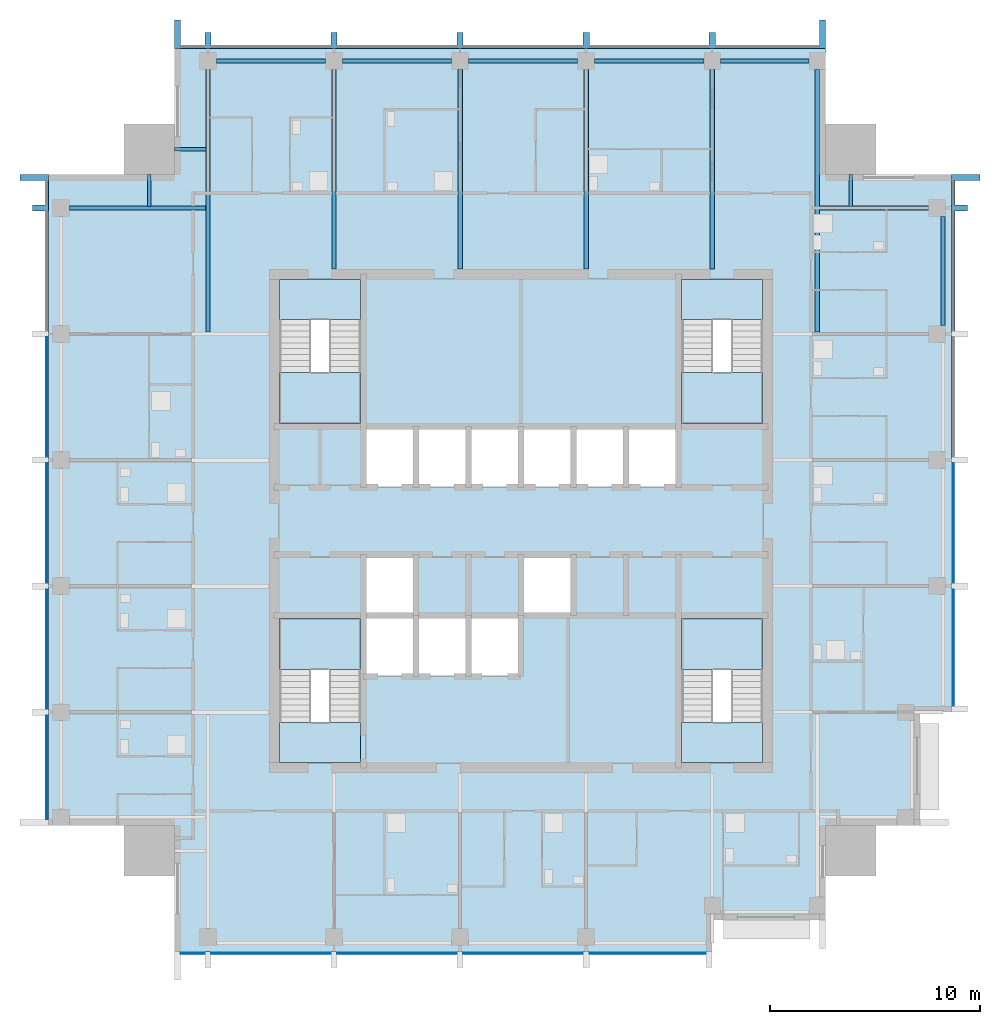
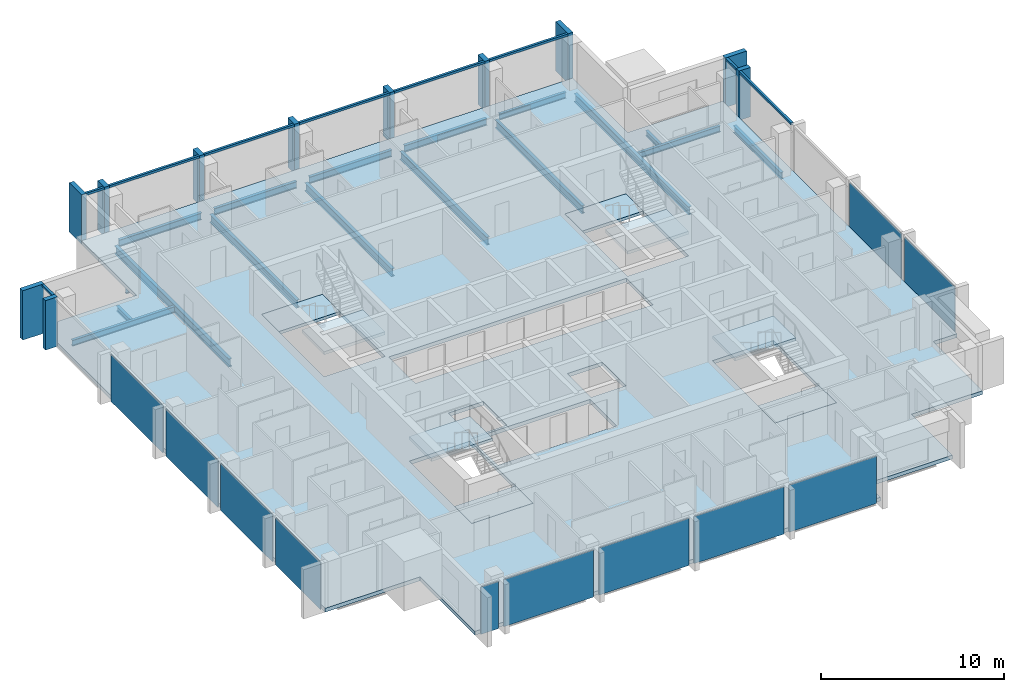
# One storey, part 2 of 9: 20 members, 17 beams, 11 plates, 9 slabs, 8 elements without a shape of their own.
"""IFC4 building model written with IfcOpenShell, lengths in metres."""

from ifc_helpers import new_model, si_unit, direction, frame, origin, origin_2d, place, context, subcontext, project, spatial, polyline, rectangle, i_section, outline, extrude, material, layer, layer_set, material_profile, profile_set, type_object, element, aggregate, save


model = new_model("IFC4")

# Units and contexts
model_context = context("Model", 3, precision=1e-05, world=origin(), true_north=direction((0.0, 1.0)))
body_context = subcontext(model_context, "Body", "Model", "MODEL_VIEW")
ifc_project = project(units=[si_unit("LENGTHUNIT", "METRE"), si_unit("AREAUNIT", "SQUARE_METRE"), si_unit("VOLUMEUNIT", "CUBIC_METRE"), si_unit("PLANEANGLEUNIT", "RADIAN"), si_unit("MASSUNIT", "GRAM", prefix="KILO")], contexts=[model_context])

# Site, building, storey
site_placement = place(None, origin())
site = spatial("IfcSite", under=ifc_project, at=site_placement, CompositionType="ELEMENT")
building_placement = place(site_placement, origin())
building = spatial("IfcBuilding", under=site, at=building_placement, Name="Amberfall Residences", CompositionType="ELEMENT")
storey_placement = place(building_placement, frame((0.0, 0.0, 245.5)))
storey = spatial("IfcBuildingStorey", under=building, at=storey_placement, Name="L65", CompositionType="ELEMENT", Elevation=245.5)

# Curtain wall, members
ifc_material_1 = material(Name="Bronze anodised aluminium and glass", Category="aluminium")
curtain_wall_type = type_object("IfcCurtainWallType", Name="Curtain wall CW1 tower unit", PredefinedType="USERDEFINED", material=ifc_material_1)
curtain_wall_1_placement = place(storey_placement, origin())
curtain_wall_1 = element("IfcCurtainWall", 1, at=curtain_wall_1_placement, inside=storey, type_object=curtain_wall_type, Name="Curtain wall L65 E E3", ObjectType="UNITISED CURTAIN WALL", PredefinedType="USERDEFINED")
ifc_material_2 = material(Name="Bronze anodised aluminium", Category="aluminium")
ifc_material_profile_1 = material_profile(ifc_material_2, rectangle(XDim=0.14990234375, YDim=0.14990234375, at=origin_2d()), Name="CW1 transom 150 x 150 bronze")
ifc_profile_set_1 = profile_set([ifc_material_profile_1], Name="Bronze anodised aluminium")
member_type_1 = type_object("IfcMemberType", Name="CW1 transom 150 x 150 bronze", PredefinedType="USERDEFINED", material=ifc_profile_set_1)
member_1_placement = place(storey_placement, frame((95.074951171875, 54.550048828125, 2.97509765625), z_axis=(0.0, 1.0, 0.0), x_axis=(-1.0, 0.0, 0.0)))
member_1 = element("IfcMember", 2, at=member_1_placement, type_object=member_type_1, Name="CW1 transom 4.1", ObjectType="TRANSOM", PredefinedType="USERDEFINED", context=body_context, shape_type="SweptSolid", body=[
    extrude(rectangle(XDim=0.14990234375, YDim=0.14990234375, at=origin_2d()), origin(), (0.0, 0.0, 1.0), 5.699951171875),
])
member_2_placement = place(storey_placement, frame((95.074951171875, 60.550048828125, 2.97509765625), z_axis=(0.0, 1.0, 0.0), x_axis=(-1.0, 0.0, 0.0)))
member_2 = element("IfcMember", 3, at=member_2_placement, type_object=member_type_1, Name="CW1 transom 5.1", ObjectType="TRANSOM", PredefinedType="USERDEFINED", context=body_context, shape_type="SweptSolid", body=[
    extrude(rectangle(XDim=0.14990234375, YDim=0.14990234375, at=origin_2d()), origin(), (0.0, 0.0, 1.0), 1.14990234375),
])

curtain_wall_2_placement = place(storey_placement, origin())
curtain_wall_2 = element("IfcCurtainWall", 4, at=curtain_wall_2_placement, inside=storey, type_object=curtain_wall_type, Name="Curtain wall L65 N N1", ObjectType="UNITISED CURTAIN WALL", PredefinedType="USERDEFINED")
member_3_placement = place(storey_placement, frame((88.699951171875, 68.074951171875, 2.97509765625), z_axis=(-1.0, 0.0, 0.0), x_axis=(0.0, -1.0, 0.0)))
member_3 = element("IfcMember", 5, at=member_3_placement, type_object=member_type_1, Name="CW1 transom 1.1", ObjectType="TRANSOM", PredefinedType="USERDEFINED", context=body_context, shape_type="SweptSolid", body=[
    extrude(rectangle(XDim=0.14990234375, YDim=0.14990234375, at=origin_2d()), origin(), (0.0, 0.0, 1.0), 4.949951171875),
])
member_4_placement = place(storey_placement, frame((83.449951171875, 68.074951171875, 2.97509765625), z_axis=(-1.0, 0.0, 0.0), x_axis=(0.0, -1.0, 0.0)))
member_4 = element("IfcMember", 6, at=member_4_placement, type_object=member_type_1, Name="CW1 transom 2.1", ObjectType="TRANSOM", PredefinedType="USERDEFINED", context=body_context, shape_type="SweptSolid", body=[
    extrude(rectangle(XDim=0.14990234375, YDim=0.14990234375, at=origin_2d()), origin(), (0.0, 0.0, 1.0), 5.699951171875),
])
member_5_placement = place(storey_placement, frame((77.449951171875, 68.074951171875, 2.97509765625), z_axis=(-1.0, 0.0, 0.0), x_axis=(0.0, -1.0, 0.0)))
member_5 = element("IfcMember", 7, at=member_5_placement, type_object=member_type_1, Name="CW1 transom 3.1", ObjectType="TRANSOM", PredefinedType="USERDEFINED", context=body_context, shape_type="SweptSolid", body=[
    extrude(rectangle(XDim=0.14990234375, YDim=0.14990234375, at=origin_2d()), origin(), (0.0, 0.0, 1.0), 5.699951171875),
])
member_6_placement = place(storey_placement, frame((71.449951171875, 68.074951171875, 2.97509765625), z_axis=(-1.0, 0.0, 0.0), x_axis=(0.0, -1.0, 0.0)))
member_6 = element("IfcMember", 8, at=member_6_placement, type_object=member_type_1, Name="CW1 transom 4.1", ObjectType="TRANSOM", PredefinedType="USERDEFINED", context=body_context, shape_type="SweptSolid", body=[
    extrude(rectangle(XDim=0.14990234375, YDim=0.14990234375, at=origin_2d()), origin(), (0.0, 0.0, 1.0), 5.699951171875),
])
member_7_placement = place(storey_placement, frame((65.449951171875, 68.074951171875, 2.97509765625), z_axis=(-1.0, 0.0, 0.0), x_axis=(0.0, -1.0, 0.0)))
member_7 = element("IfcMember", 9, at=member_7_placement, type_object=member_type_1, Name="CW1 transom 5.1", ObjectType="TRANSOM", PredefinedType="USERDEFINED", context=body_context, shape_type="SweptSolid", body=[
    extrude(rectangle(XDim=0.14990234375, YDim=0.14990234375, at=origin_2d()), origin(), (0.0, 0.0, 1.0), 5.699951171875),
])
member_8_placement = place(storey_placement, frame((59.449951171875, 68.074951171875, 2.97509765625), z_axis=(-1.0, 0.0, 0.0), x_axis=(0.0, -1.0, 0.0)))
member_8 = element("IfcMember", 10, at=member_8_placement, type_object=member_type_1, Name="CW1 transom 6.1", ObjectType="TRANSOM", PredefinedType="USERDEFINED", context=body_context, shape_type="SweptSolid", body=[
    extrude(rectangle(XDim=0.14990234375, YDim=0.14990234375, at=origin_2d()), origin(), (0.0, 0.0, 1.0), 1.14990234375),
])

# Curtain wall, member
curtain_wall_3_placement = place(storey_placement, origin())
curtain_wall_3 = element("IfcCurtainWall", 11, at=curtain_wall_3_placement, inside=storey, type_object=curtain_wall_type, Name="Curtain wall L65 W W1", ObjectType="UNITISED CURTAIN WALL", PredefinedType="USERDEFINED")
member_9_placement = place(storey_placement, frame((51.925048828125, 61.699951171875, 2.97509765625), z_axis=(0.0, -1.0, 0.0), x_axis=(1.0, 0.0, 0.0)))
member_9 = element("IfcMember", 12, at=member_9_placement, type_object=member_type_1, Name="CW1 transom 1.1", ObjectType="TRANSOM", PredefinedType="USERDEFINED", context=body_context, shape_type="SweptSolid", body=[
    extrude(rectangle(XDim=0.14990234375, YDim=0.14990234375, at=origin_2d()), origin(), (0.0, 0.0, 1.0), 1.14990234375),
])

# Member
ifc_material_profile_2 = material_profile(ifc_material_2, rectangle(XDim=1.35009765625, YDim=0.300048828125, at=origin_2d()), Name="Corner fin 300 x 1350 bronze")
ifc_profile_set_2 = profile_set([ifc_material_profile_2], Name="Bronze anodised aluminium")
member_type_2 = type_object("IfcMemberType", Name="Corner fin 300 x 1350 bronze", PredefinedType="MULLION", material=ifc_profile_set_2)
member_10_placement = place(storey_placement, frame((95.675048828125, 61.85009765625, -0.25), z_axis=(0.0, 0.0, 1.0), x_axis=(-1.0, 0.0, 0.0)))
member_10 = element("IfcMember", 13, at=member_10_placement, type_object=member_type_2, Name="CW FIN 6", PredefinedType="MULLION", context=body_context, shape_type="SweptSolid", body=[
    extrude(rectangle(XDim=1.35009765625, YDim=0.300048828125, at=origin_2d()), origin(), (0.0, 0.0, 1.0), 3.300048828125),
])

member_11_placement = place(storey_placement, frame((88.85009765625, 68.675048828125, -0.25), z_axis=(0.0, 0.0, 1.0), x_axis=(0.0, -1.0, 0.0)))
member_11 = element("IfcMember", 14, at=member_11_placement, type_object=member_type_2, Name="CW FIN 1", PredefinedType="MULLION", context=body_context, shape_type="SweptSolid", body=[
    extrude(rectangle(XDim=1.35009765625, YDim=0.300048828125, at=origin_2d()), origin(), (0.0, 0.0, 1.0), 3.300048828125),
])

member_12_placement = place(storey_placement, frame((58.14990234375, 68.675048828125, -0.25), z_axis=(0.0, 0.0, 1.0), x_axis=(0.0, -1.0, 0.0)))
member_12 = element("IfcMember", 15, at=member_12_placement, type_object=member_type_2, Name="CW FIN 7", PredefinedType="MULLION", context=body_context, shape_type="SweptSolid", body=[
    extrude(rectangle(XDim=1.35009765625, YDim=0.300048828125, at=origin_2d()), origin(), (0.0, 0.0, 1.0), 3.300048828125),
])

member_13_placement = place(storey_placement, frame((51.324951171875, 61.85009765625, -0.25), z_axis=(0.0, 0.0, 1.0), x_axis=(1.0, 0.0, 0.0)))
member_13 = element("IfcMember", 16, at=member_13_placement, type_object=member_type_2, Name="CW FIN 1", PredefinedType="MULLION", context=body_context, shape_type="SweptSolid", body=[
    extrude(rectangle(XDim=1.35009765625, YDim=0.300048828125, at=origin_2d()), origin(), (0.0, 0.0, 1.0), 3.300048828125),
])

# Beams
ifc_material_3 = material(Name="Steel S355", Category="steel")
ifc_material_profile_3 = material_profile(ifc_material_3, i_section(OverallWidth=0.177734375, OverallDepth=0.402587890625, WebThickness=0.0078125, FlangeThickness=0.010986328125, FilletRadius=0.01025390625, at=origin_2d()), Name="UB 406x178x54")
ifc_profile_set_3 = profile_set([ifc_material_profile_3], Name="Steel S355")
beam_type_1 = type_object("IfcBeamType", Name="Edge beam UB 406x178x54", PredefinedType="SPANDREL", material=ifc_profile_set_3)
beam_1_placement = place(storey_placement, frame((84.0, 67.39990234375, -0.451416015625), z_axis=(1.0, 0.0, 0.0), x_axis=(0.0, 1.0, 0.0)))
element("IfcBeam", 17, at=beam_1_placement, inside=storey, type_object=beam_type_1, Name="Edge beam B14 L65 29", PredefinedType="SPANDREL", context=body_context, shape_type="SweptSolid", body=[
    extrude(i_section(OverallWidth=0.177734375, OverallDepth=0.402587890625, WebThickness=0.0078125, FlangeThickness=0.010986328125, FilletRadius=0.01025390625, at=origin_2d()), origin(), (0.0, 0.0, 1.0), 4.199951171875),
])
ifc_material_profile_4 = material_profile(ifc_material_3, i_section(OverallWidth=0.18994140625, OverallDepth=0.453369140625, WebThickness=0.008544921875, FlangeThickness=0.0126953125, FilletRadius=0.01025390625, at=origin_2d()), Name="UB 457x191x67")
ifc_profile_set_4 = profile_set([ifc_material_profile_4], Name="Steel S355")
beam_type_2 = type_object("IfcBeamType", Name="Edge beam UB 457x191x67", PredefinedType="SPANDREL", material=ifc_profile_set_4)
for number, where, z_axis, x_axis, name in (
    (18, (94.60009765625, 54.800048828125, -0.476806640625), (0.0, 1.0, 0.0), (-1.0, 0.0, 0.0), "Edge beam B1 L65 17"),
    (19, (60.0, 67.39990234375, -0.476806640625), (1.0, 0.0, 0.0), (0.0, 1.0, 0.0), "Edge beam B1 L65 25"),
    (20, (66.0, 67.39990234375, -0.476806640625), (1.0, 0.0, 0.0), (0.0, 1.0, 0.0), "Edge beam B1 L65 26"),
    (21, (72.0, 67.39990234375, -0.476806640625), (1.0, 0.0, 0.0), (0.0, 1.0, 0.0), "Edge beam B1 L65 27"),
    (22, (78.0, 67.39990234375, -0.476806640625), (1.0, 0.0, 0.0), (0.0, 1.0, 0.0), "Edge beam B1 L65 28"),
):
    element("IfcBeam", number, at=place(storey_placement, frame(where, z_axis=z_axis, x_axis=x_axis)), inside=storey, type_object=beam_type_2, Name=name, PredefinedType="SPANDREL", context=body_context, shape_type="SweptSolid", body=[
        extrude(i_section(OverallWidth=0.18994140625, OverallDepth=0.453369140625, WebThickness=0.008544921875, FlangeThickness=0.0126953125, FilletRadius=0.01025390625, at=origin_2d()), origin(), (0.0, 0.0, 1.0), 5.199951171875),
    ])

# Member
ifc_material_profile_5 = material_profile(ifc_material_2, rectangle(XDim=0.75, YDim=0.300048828125, at=origin_2d()), Name="Fin 300 x 750 bronze")
ifc_profile_set_5 = profile_set([ifc_material_profile_5], Name="Bronze anodised aluminium")
member_type_3 = type_object("IfcMemberType", Name="Fin 300 x 750 bronze", PredefinedType="MULLION", material=ifc_profile_set_5)
member_14_placement = place(storey_placement, frame((95.375, 60.39990234375, -0.25), z_axis=(0.0, 0.0, 1.0), x_axis=(-1.0, 0.0, 0.0)))
member_14 = element("IfcMember", 23, at=member_14_placement, type_object=member_type_3, Name="CW FIN 5", PredefinedType="MULLION", context=body_context, shape_type="SweptSolid", body=[
    extrude(rectangle(XDim=0.75, YDim=0.300048828125, at=origin_2d()), origin(), (0.0, 0.0, 1.0), 3.300048828125),
])

member_15_placement = place(storey_placement, frame((83.60009765625, 68.375, -0.25), z_axis=(0.0, 0.0, 1.0), x_axis=(0.0, -1.0, 0.0)))
member_15 = element("IfcMember", 24, at=member_15_placement, type_object=member_type_3, Name="CW FIN 2", PredefinedType="MULLION", context=body_context, shape_type="SweptSolid", body=[
    extrude(rectangle(XDim=0.75, YDim=0.300048828125, at=origin_2d()), origin(), (0.0, 0.0, 1.0), 3.300048828125),
])

member_16_placement = place(storey_placement, frame((77.60009765625, 68.375, -0.25), z_axis=(0.0, 0.0, 1.0), x_axis=(0.0, -1.0, 0.0)))
member_16 = element("IfcMember", 25, at=member_16_placement, type_object=member_type_3, Name="CW FIN 3", PredefinedType="MULLION", context=body_context, shape_type="SweptSolid", body=[
    extrude(rectangle(XDim=0.75, YDim=0.300048828125, at=origin_2d()), origin(), (0.0, 0.0, 1.0), 3.300048828125),
])

member_17_placement = place(storey_placement, frame((71.60009765625, 68.375, -0.25), z_axis=(0.0, 0.0, 1.0), x_axis=(0.0, -1.0, 0.0)))
member_17 = element("IfcMember", 26, at=member_17_placement, type_object=member_type_3, Name="CW FIN 4", PredefinedType="MULLION", context=body_context, shape_type="SweptSolid", body=[
    extrude(rectangle(XDim=0.75, YDim=0.300048828125, at=origin_2d()), origin(), (0.0, 0.0, 1.0), 3.300048828125),
])

member_18_placement = place(storey_placement, frame((65.60009765625, 68.375, -0.25), z_axis=(0.0, 0.0, 1.0), x_axis=(0.0, -1.0, 0.0)))
member_18 = element("IfcMember", 27, at=member_18_placement, type_object=member_type_3, Name="CW FIN 5", PredefinedType="MULLION", context=body_context, shape_type="SweptSolid", body=[
    extrude(rectangle(XDim=0.75, YDim=0.300048828125, at=origin_2d()), origin(), (0.0, 0.0, 1.0), 3.300048828125),
])

member_19_placement = place(storey_placement, frame((59.60009765625, 68.375, -0.25), z_axis=(0.0, 0.0, 1.0), x_axis=(0.0, -1.0, 0.0)))
member_19 = element("IfcMember", 28, at=member_19_placement, type_object=member_type_3, Name="CW FIN 6", PredefinedType="MULLION", context=body_context, shape_type="SweptSolid", body=[
    extrude(rectangle(XDim=0.75, YDim=0.300048828125, at=origin_2d()), origin(), (0.0, 0.0, 1.0), 3.300048828125),
])

aggregate(curtain_wall_2, [member_11, member_15, member_16, member_17, member_18, member_19, member_12, member_3, member_4, member_5, member_6, member_7, member_8])

member_20_placement = place(storey_placement, frame((51.625, 60.39990234375, -0.25), z_axis=(0.0, 0.0, 1.0), x_axis=(1.0, 0.0, 0.0)))
member_20 = element("IfcMember", 29, at=member_20_placement, type_object=member_type_3, Name="CW FIN 2", PredefinedType="MULLION", context=body_context, shape_type="SweptSolid", body=[
    extrude(rectangle(XDim=0.75, YDim=0.300048828125, at=origin_2d()), origin(), (0.0, 0.0, 1.0), 3.300048828125),
])

# Beams
ifc_material_profile_6 = material_profile(ifc_material_3, i_section(OverallWidth=0.177734375, OverallDepth=0.402587890625, WebThickness=0.0078125, FlangeThickness=0.010986328125, FilletRadius=0.01025390625, at=origin_2d()), Name="UB 406x178x54")
ifc_profile_set_6 = profile_set([ifc_material_profile_6], Name="Steel S355")
beam_type_3 = type_object("IfcBeamType", Name="Floor girder UB 406x178x54", PredefinedType="BEAM", material=ifc_profile_set_6)
beam_2_placement = place(storey_placement, frame((93.89990234375, 60.39990234375, -0.451416015625), z_axis=(-1.0, 0.0, 0.0), x_axis=(0.0, -1.0, 0.0)))
element("IfcBeam", 30, at=beam_2_placement, inside=storey, type_object=beam_type_3, Name="Floor girder B4 L65 24", PredefinedType="BEAM", context=body_context, shape_type="SweptSolid", body=[
    extrude(i_section(OverallWidth=0.177734375, OverallDepth=0.402587890625, WebThickness=0.0078125, FlangeThickness=0.010986328125, FilletRadius=0.01025390625, at=origin_2d()), origin(), (0.0, 0.0, 1.0), 5.179931640625),
])
beam_3_placement = place(storey_placement, frame((53.0, 60.39990234375, -0.451416015625), z_axis=(1.0, 0.0, 0.0), x_axis=(0.0, 1.0, 0.0)))
element("IfcBeam", 31, at=beam_3_placement, inside=storey, type_object=beam_type_3, Name="Floor girder B4 L65 46", PredefinedType="BEAM", context=body_context, shape_type="SweptSolid", body=[
    extrude(i_section(OverallWidth=0.177734375, OverallDepth=0.402587890625, WebThickness=0.0078125, FlangeThickness=0.010986328125, FilletRadius=0.01025390625, at=origin_2d()), origin(), (0.0, 0.0, 1.0), 6.47998046875),
])
ifc_material_profile_7 = material_profile(ifc_material_3, i_section(OverallWidth=0.210693359375, OverallDepth=0.53955078125, WebThickness=0.01171875, FlangeThickness=0.018798828125, FilletRadius=0.0126953125, at=origin_2d()), Name="UB 533x210x109")
ifc_profile_set_7 = profile_set([ifc_material_profile_7], Name="Steel S355")
beam_type_4 = type_object("IfcBeamType", Name="Floor girder UB 533x210x109", PredefinedType="BEAM", material=ifc_profile_set_7)
beam_4_placement = place(storey_placement, frame((59.60009765625, 67.0, -0.519775390625), z_axis=(0.0, -1.0, 0.0), x_axis=(1.0, 0.0, 0.0)))
element("IfcBeam", 32, at=beam_4_placement, inside=storey, type_object=beam_type_4, Name="Floor girder B2 L65 30", PredefinedType="BEAM", context=body_context, shape_type="SweptSolid", body=[
    extrude(i_section(OverallWidth=0.210693359375, OverallDepth=0.53955078125, WebThickness=0.01171875, FlangeThickness=0.018798828125, FilletRadius=0.0126953125, at=origin_2d()), origin(), (0.0, 0.0, 1.0), 12.50048828125),
])
beam_5_placement = place(storey_placement, frame((88.60009765625, 67.0, -0.519775390625), z_axis=(0.0, -1.0, 0.0), x_axis=(1.0, 0.0, 0.0)))
element("IfcBeam", 33, at=beam_5_placement, inside=storey, type_object=beam_type_4, Name="Floor girder B2 L65 35", PredefinedType="BEAM", context=body_context, shape_type="SweptSolid", body=[
    extrude(i_section(OverallWidth=0.210693359375, OverallDepth=0.53955078125, WebThickness=0.01171875, FlangeThickness=0.018798828125, FilletRadius=0.0126953125, at=origin_2d()), origin(), (0.0, 0.0, 1.0), 12.509521484375),
])
ifc_material_profile_8 = material_profile(ifc_material_3, i_section(OverallWidth=0.209228515625, OverallDepth=0.533203125, WebThickness=0.010009765625, FlangeThickness=0.015625, FilletRadius=0.0126953125, at=origin_2d()), Name="UB 533x210x92")
ifc_profile_set_8 = profile_set([ifc_material_profile_8], Name="Steel S355")
beam_type_5 = type_object("IfcBeamType", Name="Floor girder UB 533x210x92", PredefinedType="BEAM", material=ifc_profile_set_8)
for number, where, z_axis, x_axis, name in (
    (34, (65.60009765625, 67.0, -0.5166015625), (0.0, -1.0, 0.0), (1.0, 0.0, 0.0), "Floor girder B3 L65 31"),
    (35, (71.60009765625, 67.0, -0.5166015625), (0.0, -1.0, 0.0), (1.0, 0.0, 0.0), "Floor girder B3 L65 32"),
    (36, (77.60009765625, 67.0, -0.5166015625), (0.0, -1.0, 0.0), (1.0, 0.0, 0.0), "Floor girder B3 L65 33"),
    (37, (83.60009765625, 67.0, -0.5166015625), (0.0, -1.0, 0.0), (1.0, 0.0, 0.0), "Floor girder B3 L65 34"),
):
    element("IfcBeam", number, at=place(storey_placement, frame(where, z_axis=z_axis, x_axis=x_axis)), inside=storey, type_object=beam_type_5, Name=name, PredefinedType="BEAM", context=body_context, shape_type="SweptSolid", body=[
        extrude(i_section(OverallWidth=0.209228515625, OverallDepth=0.533203125, WebThickness=0.010009765625, FlangeThickness=0.015625, FilletRadius=0.0126953125, at=origin_2d()), origin(), (0.0, 0.0, 1.0), 9.5),
    ])
ifc_material_profile_9 = material_profile(ifc_material_3, i_section(OverallWidth=0.171142578125, OverallDepth=0.351318359375, WebThickness=0.007080078125, FlangeThickness=0.009765625, FilletRadius=0.01025390625, at=origin_2d()), Name="UB 356x171x45")
ifc_profile_set_9 = profile_set([ifc_material_profile_9], Name="Steel S355")
beam_type_6 = type_object("IfcBeamType", Name="Link beam UB 356x171x45", PredefinedType="BEAM", material=ifc_profile_set_9)
beam_6_placement = place(storey_placement, frame((90.199951171875, 62.0, -0.42578125), z_axis=(0.0, -1.0, 0.0), x_axis=(1.0, 0.0, 0.0)))
element("IfcBeam", 38, at=beam_6_placement, inside=storey, type_object=beam_type_6, Name="Link beam B7 L65 48", PredefinedType="BEAM", context=body_context, shape_type="SweptSolid", body=[
    extrude(i_section(OverallWidth=0.171142578125, OverallDepth=0.351318359375, WebThickness=0.007080078125, FlangeThickness=0.009765625, FilletRadius=0.01025390625, at=origin_2d()), origin(), (0.0, 0.0, 1.0), 1.52099609375),
])
beam_7_placement = place(storey_placement, frame((58.0, 63.199951171875, -0.42578125), z_axis=(1.0, 0.0, 0.0), x_axis=(0.0, 1.0, 0.0)))
element("IfcBeam", 39, at=beam_7_placement, inside=storey, type_object=beam_type_6, Name="Link beam B7 L65 49", PredefinedType="BEAM", context=body_context, shape_type="SweptSolid", body=[
    extrude(i_section(OverallWidth=0.171142578125, OverallDepth=0.351318359375, WebThickness=0.007080078125, FlangeThickness=0.009765625, FilletRadius=0.01025390625, at=origin_2d()), origin(), (0.0, 0.0, 1.0), 1.504638671875),
])
beam_8_placement = place(storey_placement, frame((56.800048828125, 62.0, -0.42578125), z_axis=(0.0, -1.0, 0.0), x_axis=(1.0, 0.0, 0.0)))
element("IfcBeam", 40, at=beam_8_placement, inside=storey, type_object=beam_type_6, Name="Link beam B7 L65 50", PredefinedType="BEAM", context=body_context, shape_type="SweptSolid", body=[
    extrude(i_section(OverallWidth=0.171142578125, OverallDepth=0.351318359375, WebThickness=0.007080078125, FlangeThickness=0.009765625, FilletRadius=0.01025390625, at=origin_2d()), origin(), (0.0, 0.0, 1.0), 1.52099609375),
])

# Curtain wall, plates
curtain_wall_4_placement = place(storey_placement, origin())
curtain_wall_4 = element("IfcCurtainWall", 41, at=curtain_wall_4_placement, inside=storey, type_object=curtain_wall_type, Name="Curtain wall L65 S S1", ObjectType="UNITISED CURTAIN WALL", PredefinedType="USERDEFINED")
ifc_material_4 = material(Name="Tinted double glazed unit", Category="glass")
ifc_layer_1 = layer(ifc_material_4, 0.035888671875)
ifc_layer_set_1 = layer_set([ifc_layer_1], Name="CW1 panel 36 glazing")
plate_type = type_object("IfcPlateType", Name="CW1 panel 36 glazing", PredefinedType="CURTAIN_PANEL", material=ifc_layer_set_1)
plate_1_placement = place(storey_placement, frame((58.875, 24.925048828125, -0.25), z_axis=(0.0, 0.0, 1.0), x_axis=(1.0, 0.0, 0.0)))
plate_1 = element("IfcPlate", 42, at=plate_1_placement, type_object=plate_type, Name="CW1 panel 1.1", PredefinedType="CURTAIN_PANEL", context=body_context, shape_type="SweptSolid", body=[
    extrude(rectangle(XDim=1.1259765625, YDim=0.035888671875, at=origin_2d()), origin(), (0.0, 0.0, 1.0), 3.14990234375),
])
plate_2_placement = place(storey_placement, frame((62.60009765625, 24.925048828125, -0.25), z_axis=(0.0, 0.0, 1.0), x_axis=(1.0, 0.0, 0.0)))
plate_2 = element("IfcPlate", 43, at=plate_2_placement, type_object=plate_type, Name="CW1 panel 2.1", PredefinedType="CURTAIN_PANEL", context=body_context, shape_type="SweptSolid", body=[
    extrude(rectangle(XDim=5.676025390625, YDim=0.035888671875, at=origin_2d()), origin(), (0.0, 0.0, 1.0), 3.14990234375),
])
plate_3_placement = place(storey_placement, frame((68.60009765625, 24.925048828125, -0.25), z_axis=(0.0, 0.0, 1.0), x_axis=(1.0, 0.0, 0.0)))
plate_3 = element("IfcPlate", 44, at=plate_3_placement, type_object=plate_type, Name="CW1 panel 3.1", PredefinedType="CURTAIN_PANEL", context=body_context, shape_type="SweptSolid", body=[
    extrude(rectangle(XDim=5.676025390625, YDim=0.035888671875, at=origin_2d()), origin(), (0.0, 0.0, 1.0), 3.14990234375),
])
plate_4_placement = place(storey_placement, frame((74.60009765625, 24.925048828125, -0.25), z_axis=(0.0, 0.0, 1.0), x_axis=(1.0, 0.0, 0.0)))
plate_4 = element("IfcPlate", 45, at=plate_4_placement, type_object=plate_type, Name="CW1 panel 4.1", PredefinedType="CURTAIN_PANEL", context=body_context, shape_type="SweptSolid", body=[
    extrude(rectangle(XDim=5.676025390625, YDim=0.035888671875, at=origin_2d()), origin(), (0.0, 0.0, 1.0), 3.14990234375),
])
plate_5_placement = place(storey_placement, frame((80.52490234375, 24.925048828125, -0.25), z_axis=(0.0, 0.0, 1.0), x_axis=(1.0, 0.0, 0.0)))
plate_5 = element("IfcPlate", 46, at=plate_5_placement, type_object=plate_type, Name="CW1 panel 5.1", PredefinedType="CURTAIN_PANEL", context=body_context, shape_type="SweptSolid", body=[
    extrude(rectangle(XDim=5.52587890625, YDim=0.035888671875, at=origin_2d()), origin(), (0.0, 0.0, 1.0), 3.14990234375),
])
aggregate(curtain_wall_4, [plate_1, plate_2, plate_3, plate_4, plate_5])

# Plate
plate_6_placement = place(storey_placement, frame((95.074951171875, 39.47509765625, -0.25), z_axis=(0.0, 0.0, 1.0), x_axis=(0.0, 1.0, 0.0)))
plate_6 = element("IfcPlate", 47, at=plate_6_placement, type_object=plate_type, Name="CW1 panel 1.1", PredefinedType="CURTAIN_PANEL", context=body_context, shape_type="SweptSolid", body=[
    extrude(rectangle(XDim=5.52587890625, YDim=0.035888671875, at=origin_2d()), origin(), (0.0, 0.0, 1.0), 3.14990234375),
])

plate_7_placement = place(storey_placement, frame((95.074951171875, 45.39990234375, -0.25), z_axis=(0.0, 0.0, 1.0), x_axis=(0.0, 1.0, 0.0)))
plate_7 = element("IfcPlate", 48, at=plate_7_placement, type_object=plate_type, Name="CW1 panel 2.1", PredefinedType="CURTAIN_PANEL", context=body_context, shape_type="SweptSolid", body=[
    extrude(rectangle(XDim=5.676025390625, YDim=0.035888671875, at=origin_2d()), origin(), (0.0, 0.0, 1.0), 3.14990234375),
])

aggregate(curtain_wall_1, [member_14, member_10, plate_6, plate_7, member_1, member_2])

plate_8_placement = place(storey_placement, frame((51.925048828125, 51.39990234375, -0.25), z_axis=(0.0, 0.0, 1.0), x_axis=(0.0, -1.0, 0.0)))
plate_8 = element("IfcPlate", 49, at=plate_8_placement, type_object=plate_type, Name="CW1 panel 3.1", PredefinedType="CURTAIN_PANEL", context=body_context, shape_type="SweptSolid", body=[
    extrude(rectangle(XDim=5.676025390625, YDim=0.035888671875, at=origin_2d()), origin(), (0.0, 0.0, 1.0), 3.14990234375),
])

plate_9_placement = place(storey_placement, frame((51.925048828125, 45.39990234375, -0.25), z_axis=(0.0, 0.0, 1.0), x_axis=(0.0, -1.0, 0.0)))
plate_9 = element("IfcPlate", 50, at=plate_9_placement, type_object=plate_type, Name="CW1 panel 4.1", PredefinedType="CURTAIN_PANEL", context=body_context, shape_type="SweptSolid", body=[
    extrude(rectangle(XDim=5.676025390625, YDim=0.035888671875, at=origin_2d()), origin(), (0.0, 0.0, 1.0), 3.14990234375),
])

plate_10_placement = place(storey_placement, frame((51.925048828125, 39.39990234375, -0.25), z_axis=(0.0, 0.0, 1.0), x_axis=(0.0, -1.0, 0.0)))
plate_10 = element("IfcPlate", 51, at=plate_10_placement, type_object=plate_type, Name="CW1 panel 5.1", PredefinedType="CURTAIN_PANEL", context=body_context, shape_type="SweptSolid", body=[
    extrude(rectangle(XDim=5.676025390625, YDim=0.035888671875, at=origin_2d()), origin(), (0.0, 0.0, 1.0), 3.14990234375),
])

plate_11_placement = place(storey_placement, frame((51.925048828125, 33.77490234375, -0.25), z_axis=(0.0, 0.0, 1.0), x_axis=(0.0, -1.0, 0.0)))
plate_11 = element("IfcPlate", 52, at=plate_11_placement, type_object=plate_type, Name="CW1 panel 6.1", PredefinedType="CURTAIN_PANEL", context=body_context, shape_type="SweptSolid", body=[
    extrude(rectangle(XDim=4.926025390625, YDim=0.035888671875, at=origin_2d()), origin(), (0.0, 0.0, 1.0), 3.14990234375),
])

aggregate(curtain_wall_3, [member_13, member_20, member_9, plate_8, plate_9, plate_10, plate_11])

# Slab
ifc_material_5 = material(Name="Concrete C50", Category="concrete")
ifc_layer_2 = layer(ifc_material_5, 0.25)
ifc_layer_set_2 = layer_set([ifc_layer_2], Name="Floor slab 250 C50")
slab_type_1 = type_object("IfcSlabType", Name="Floor slab 250 C50", PredefinedType="FLOOR", material=ifc_layer_set_2)
slab_1_placement = place(storey_placement, frame((0.0, 0.0, -0.25)))
element("IfcSlab", 53, at=slab_1_placement, inside=storey, type_object=slab_type_1, Name="Floor slab S19 L65", PredefinedType="FLOOR", context=body_context, shape_type="SweptSolid", body=[
    extrude(outline(polyline([(83.60009765625, 26.5), (83.60009765625, 25.0), (58.0, 25.0), (58.0, 31.0), (52.0, 31.0), (52.0, 62.0), (58.0, 62.0), (58.0, 68.0), (89.0, 68.0), (89.0, 62.0), (95.0, 62.0), (95.0, 36.39990234375), (93.5, 36.39990234375), (93.5, 31.0), (89.0, 31.0), (89.0, 26.5), (83.60009765625, 26.5)]), holes=[polyline([(86.0, 34.0), (86.0, 40.85009765625), (82.14990234375, 40.85009765625), (82.14990234375, 34.0), (86.0, 34.0)]), polyline([(86.0, 50.14990234375), (86.0, 57.0), (82.14990234375, 57.0), (82.14990234375, 50.14990234375), (86.0, 50.14990234375)]), polyline([(72.0, 50.0), (69.5, 50.0), (67.0, 50.0), (67.0, 47.10009765625), (69.5, 47.10009765625), (72.0, 47.10009765625), (74.5, 47.10009765625), (77.0, 47.10009765625), (79.5, 47.10009765625), (82.0, 47.10009765625), (82.0, 50.0), (79.5, 50.0), (77.0, 50.0), (74.5, 50.0), (72.0, 50.0)]), polyline([(76.85009765625, 41.14990234375), (76.85009765625, 43.75), (74.64990234375, 43.75), (74.64990234375, 41.14990234375), (76.85009765625, 41.14990234375)]), polyline([(69.5, 41.0), (67.0, 41.0), (67.0, 38.10009765625), (69.5, 38.10009765625), (72.0, 38.10009765625), (74.5, 38.10009765625), (74.5, 41.0), (72.0, 41.0), (69.5, 41.0)]), polyline([(69.35009765625, 41.14990234375), (69.35009765625, 43.75), (67.14990234375, 43.75), (67.14990234375, 41.14990234375), (69.35009765625, 41.14990234375)]), polyline([(66.85009765625, 50.14990234375), (66.85009765625, 57.0), (63.0, 57.0), (63.0, 50.14990234375), (66.85009765625, 50.14990234375)]), polyline([(66.85009765625, 40.85009765625), (63.0, 40.85009765625), (63.0, 34.0), (66.85009765625, 34.0), (66.85009765625, 40.85009765625)])]), origin(), (0.0, 0.0, 1.0), 0.25),
])

# Stair, slabs
ifc_material_6 = material(Name="Concrete C40", Category="concrete")
stair_type = type_object("IfcStairType", Name="Exit stair 20 risers 165.0 mm", PredefinedType="HALF_TURN_STAIR", material=ifc_material_6)
stair_1_placement = place(storey_placement, origin())
stair_1 = element("IfcStair", 54, at=stair_1_placement, inside=storey, type_object=stair_type, Name="L65 Exit stair 1", PredefinedType="HALF_TURN_STAIR")
ifc_layer_3 = layer(ifc_material_6, 0.199951171875)
ifc_layer_set_3 = layer_set([ifc_layer_3], Name="Stair landing 200")
slab_type_2 = type_object("IfcSlabType", Name="Stair landing 200", PredefinedType="LANDING", material=ifc_layer_set_3)
slab_2_placement = place(storey_placement, frame((0.0, 0.0, 1.449951171875)))
slab_2 = element("IfcSlab", 55, at=slab_2_placement, type_object=slab_type_2, Name="ST3 landing 1", PredefinedType="LANDING", context=body_context, shape_type="SweptSolid", body=[
    extrude(outline(polyline([(66.85009765625, 38.419921875), (66.85009765625, 40.85009765625), (63.0, 40.85009765625), (63.0, 38.419921875), (66.85009765625, 38.419921875)])), origin(), (0.0, 0.0, 1.0), 0.199951171875),
])
slab_3_placement = place(storey_placement, frame((0.0, 0.0, -0.199951171875)))
slab_3 = element("IfcSlab", 56, at=slab_3_placement, type_object=slab_type_2, Name="ST3 landing 2", PredefinedType="LANDING", context=body_context, shape_type="SweptSolid", body=[
    extrude(outline(polyline([(66.85009765625, 34.0), (66.85009765625, 35.89990234375), (63.0, 35.89990234375), (63.0, 34.0), (66.85009765625, 34.0)])), origin(), (0.0, 0.0, 1.0), 0.199951171875),
])
aggregate(stair_1, [slab_2, slab_3])

stair_2_placement = place(storey_placement, origin())
stair_2 = element("IfcStair", 57, at=stair_2_placement, inside=storey, type_object=stair_type, Name="L65 Exit stair 2", PredefinedType="HALF_TURN_STAIR")
slab_4_placement = place(storey_placement, frame((0.0, 0.0, 1.449951171875)))
slab_4 = element("IfcSlab", 58, at=slab_4_placement, type_object=slab_type_2, Name="ST3 landing 1", PredefinedType="LANDING", context=body_context, shape_type="SweptSolid", body=[
    extrude(outline(polyline([(86.0, 38.419921875), (86.0, 40.85009765625), (82.14990234375, 40.85009765625), (82.14990234375, 38.419921875), (86.0, 38.419921875)])), origin(), (0.0, 0.0, 1.0), 0.199951171875),
])
slab_5_placement = place(storey_placement, frame((0.0, 0.0, -0.199951171875)))
slab_5 = element("IfcSlab", 59, at=slab_5_placement, type_object=slab_type_2, Name="ST3 landing 2", PredefinedType="LANDING", context=body_context, shape_type="SweptSolid", body=[
    extrude(outline(polyline([(86.0, 34.0), (86.0, 35.89990234375), (82.14990234375, 35.89990234375), (82.14990234375, 34.0), (86.0, 34.0)])), origin(), (0.0, 0.0, 1.0), 0.199951171875),
])
aggregate(stair_2, [slab_4, slab_5])

stair_3_placement = place(storey_placement, origin())
stair_3 = element("IfcStair", 60, at=stair_3_placement, inside=storey, type_object=stair_type, Name="L65 Exit stair 3", PredefinedType="HALF_TURN_STAIR")
slab_6_placement = place(storey_placement, frame((0.0, 0.0, 1.449951171875)))
slab_6 = element("IfcSlab", 61, at=slab_6_placement, type_object=slab_type_2, Name="ST3 landing 1", PredefinedType="LANDING", context=body_context, shape_type="SweptSolid", body=[
    extrude(outline(polyline([(82.14990234375, 52.580078125), (82.14990234375, 50.14990234375), (86.0, 50.14990234375), (86.0, 52.580078125), (82.14990234375, 52.580078125)])), origin(), (0.0, 0.0, 1.0), 0.199951171875),
])
slab_7_placement = place(storey_placement, frame((0.0, 0.0, -0.199951171875)))
slab_7 = element("IfcSlab", 62, at=slab_7_placement, type_object=slab_type_2, Name="ST3 landing 2", PredefinedType="LANDING", context=body_context, shape_type="SweptSolid", body=[
    extrude(outline(polyline([(82.14990234375, 57.0), (82.14990234375, 55.10009765625), (86.0, 55.10009765625), (86.0, 57.0), (82.14990234375, 57.0)])), origin(), (0.0, 0.0, 1.0), 0.199951171875),
])
aggregate(stair_3, [slab_6, slab_7])

stair_4_placement = place(storey_placement, origin())
stair_4 = element("IfcStair", 63, at=stair_4_placement, inside=storey, type_object=stair_type, Name="L65 Exit stair 4", PredefinedType="HALF_TURN_STAIR")
slab_8_placement = place(storey_placement, frame((0.0, 0.0, 1.449951171875)))
slab_8 = element("IfcSlab", 64, at=slab_8_placement, type_object=slab_type_2, Name="ST3 landing 1", PredefinedType="LANDING", context=body_context, shape_type="SweptSolid", body=[
    extrude(outline(polyline([(63.0, 52.580078125), (63.0, 50.14990234375), (66.85009765625, 50.14990234375), (66.85009765625, 52.580078125), (63.0, 52.580078125)])), origin(), (0.0, 0.0, 1.0), 0.199951171875),
])
slab_9_placement = place(storey_placement, frame((0.0, 0.0, -0.199951171875)))
slab_9 = element("IfcSlab", 65, at=slab_9_placement, type_object=slab_type_2, Name="ST3 landing 2", PredefinedType="LANDING", context=body_context, shape_type="SweptSolid", body=[
    extrude(outline(polyline([(63.0, 57.0), (63.0, 55.10009765625), (66.85009765625, 55.10009765625), (66.85009765625, 57.0), (63.0, 57.0)])), origin(), (0.0, 0.0, 1.0), 0.199951171875),
])
aggregate(stair_4, [slab_8, slab_9])

save(model, "model.ifc")
